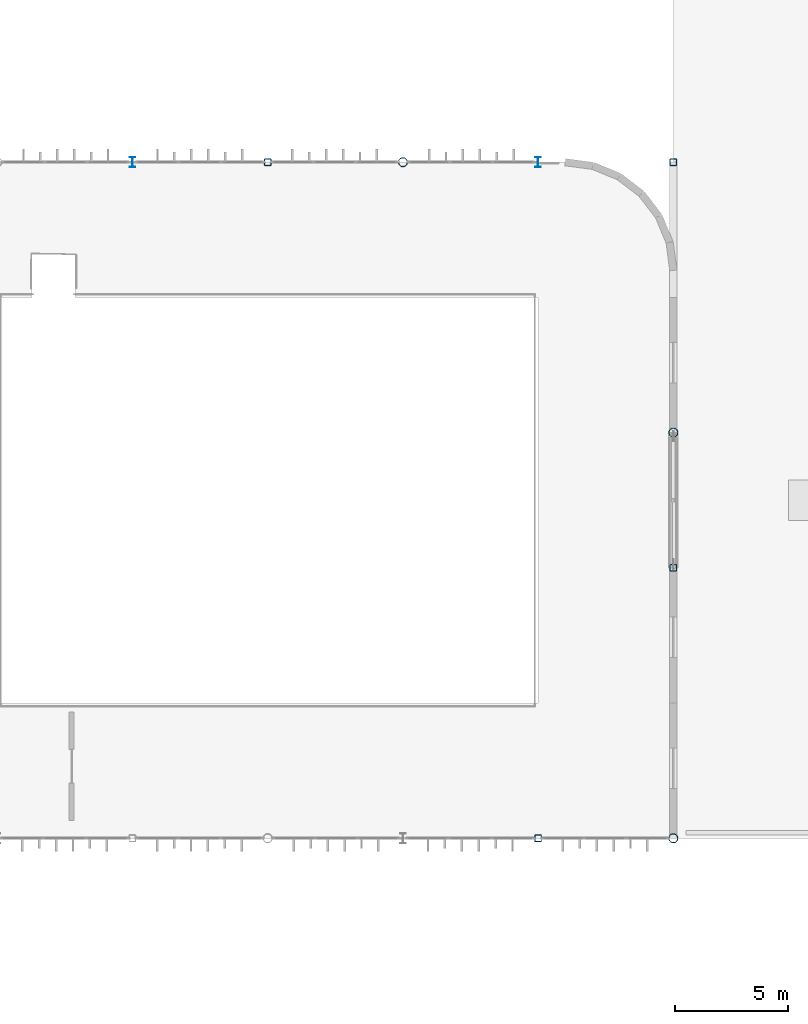
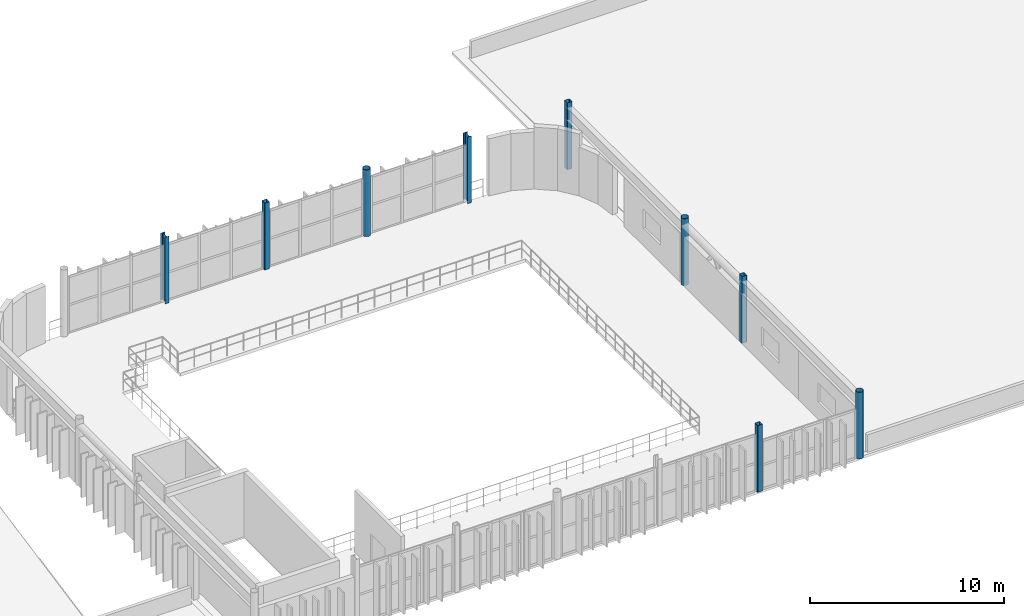
# One storey, part 8 of 83: 9 columns.
"""IFC4 building model written with IfcOpenShell, lengths in metres."""

import ifcopenshell
import ifcopenshell.guid

model = None  # the IFC model being written
_history = None  # IfcOwnerHistory: only IFC2X3 demands one
_inside = {}  # id of a spatial element -> (the spatial element, [elements in it])
_under = {}  # id of a project, library or spatial element -> (it, [spatial elements below it])
_declared = {}  # id of a project -> (the project, [libraries it declares])
_typed = {}  # id of a type object -> (the type object, [elements of that type])
_made_of = {}  # id of a material, layer set ... -> (it, [elements and type objects made of it])


def new_model(schema):
    """Start an empty IFC model of exactly this schema.

    Asked for "IFC4X3", IfcOpenShell would pick the latest addendum, in which some entities
    have other attributes; the version numbers below select the first issue.
    IFC2X3 requires an IfcOwnerHistory on every rooted entity: one is made here for all.
    """
    global model, _history
    if schema == "IFC4X3":
        model = ifcopenshell.file(schema_version=(4, 3, 0, 0))
    else:
        model = ifcopenshell.file(schema=schema)
    _inside.clear()
    _under.clear()
    _declared.clear()
    _typed.clear()
    _made_of.clear()
    _history = None
    if model.schema == "IFC2X3":
        org = make("IfcOrganization", Name="unknown")
        user = make(
            "IfcPersonAndOrganization",
            ThePerson=make("IfcPerson", FamilyName="unknown"),
            TheOrganization=org,
        )
        app = make(
            "IfcApplication",
            ApplicationDeveloper=org,
            Version="unknown",
            ApplicationFullName="unknown",
            ApplicationIdentifier="unknown",
        )
        _history = make(
            "IfcOwnerHistory",
            OwningUser=user,
            OwningApplication=app,
            ChangeAction="ADDED",
            CreationDate=0,
        )
    return model


def make(cls, **values):
    """One entity of the class cls with the attributes given. An attribute that is None is left unset."""
    return model.create_entity(
        cls, **{name: value for name, value in values.items() if value is not None}
    )


def rooted(cls, **values):
    """An entity with a GlobalId (a new one), such as an element, a storey or a relation."""
    return make(cls, GlobalId=ifcopenshell.guid.new(), OwnerHistory=_history, **values)


def si_unit(unit_type, name, prefix=None):
    """IfcSIUnit, for example si_unit("LENGTHUNIT", "METRE", prefix="MILLI")."""
    return make("IfcSIUnit", UnitType=unit_type, Prefix=prefix, Name=name)


def assignment(units):
    """IfcUnitAssignment: the units of a project."""
    return None if units is None else make("IfcUnitAssignment", Units=units)


def point(xyz):
    """IfcCartesianPoint."""
    return None if xyz is None else make("IfcCartesianPoint", Coordinates=xyz)


def direction(xyz):
    """IfcDirection."""
    return None if xyz is None else make("IfcDirection", DirectionRatios=xyz)


def frame(location, z_axis=None, x_axis=None):
    """IfcAxis2Placement3D, a coordinate frame: its origin and axes. An axis left out is left unset."""
    return make(
        "IfcAxis2Placement3D",
        Location=point(location),
        Axis=direction(z_axis),
        RefDirection=direction(x_axis),
    )


def frame_2d(location, x_axis=None):
    """IfcAxis2Placement2D, a coordinate frame in the plane: its origin and x axis."""
    return make(
        "IfcAxis2Placement2D", Location=point(location), RefDirection=direction(x_axis)
    )


def origin():
    """The frame at (0, 0, 0) with its axes left unset."""
    return frame((0.0, 0.0, 0.0))


def origin_2d():
    """The frame at (0, 0) in the plane with its x axis left unset."""
    return frame_2d((0.0, 0.0))


def place(relative_to, where):
    """IfcLocalPlacement: puts the frame where relative to a parent placement (None: the world)."""
    return make(
        "IfcLocalPlacement", PlacementRelTo=relative_to, RelativePlacement=where
    )


def context(
    kind, dimensions, precision=None, world=None, true_north=None, identifier=None
):
    """IfcGeometricRepresentationContext, for example the 3D "Model" context."""
    return make(
        "IfcGeometricRepresentationContext",
        ContextIdentifier=identifier,
        ContextType=kind,
        CoordinateSpaceDimension=dimensions,
        Precision=precision,
        WorldCoordinateSystem=world,
        TrueNorth=true_north,
    )


def subcontext(parent, identifier, kind, view, scale=None):
    """IfcGeometricRepresentationSubContext, for example "Body" below "Model"."""
    return make(
        "IfcGeometricRepresentationSubContext",
        ContextIdentifier=identifier,
        ContextType=kind,
        ParentContext=parent,
        TargetScale=scale,
        TargetView=view,
    )


def project(units=None, contexts=None):
    """IfcProject with its units and contexts."""
    return rooted(
        "IfcProject",
        Name="project",
        RepresentationContexts=contexts,
        UnitsInContext=assignment(units),
    )


def spatial(cls, under=None, at=None, **own):
    """A site, building, storey or space (cls), placed at a placement, below another one or the project."""
    s = rooted(cls, ObjectPlacement=at, **own)
    if under is not None:
        _under.setdefault(under.id(), (under, []))[1].append(s)
    return s


def profile(cls, at=None, kind="AREA", **sizes):
    """A parametric profile (cls). Its sizes go by their IFC names, for example OverallWidth=200.0."""
    return make(cls, ProfileType=kind, Position=at, **sizes)


def hollow_rectangle(**sizes):
    """IfcRectangleHollowProfileDef."""
    return profile("IfcRectangleHollowProfileDef", **sizes)


def hollow_circle(**sizes):
    """IfcCircleHollowProfileDef."""
    return profile("IfcCircleHollowProfileDef", **sizes)


def i_section(**sizes):
    """IfcIShapeProfileDef."""
    return profile("IfcIShapeProfileDef", **sizes)


def extrude(swept, where, along, depth):
    """IfcExtrudedAreaSolid: the profile swept, set in the frame where, extruded along a direction by depth."""
    return make(
        "IfcExtrudedAreaSolid",
        SweptArea=swept,
        Position=where,
        ExtrudedDirection=direction(along),
        Depth=depth,
    )


def shape(context_of_items, identifier, shape_type, items):
    """IfcShapeRepresentation: the items that make up one representation, for example the "Body"."""
    return make(
        "IfcShapeRepresentation",
        ContextOfItems=context_of_items,
        RepresentationIdentifier=identifier,
        RepresentationType=shape_type,
        Items=items,
    )


def material(Name=None, Category=None):
    """IfcMaterial."""
    return make("IfcMaterial", Name=Name, Category=Category)


def material_profile(
    of_material, cross_section, Name=None, Category=None, Priority=None
):
    """IfcMaterialProfile: a cross section and its material."""
    return make(
        "IfcMaterialProfile",
        Name=Name,
        Material=of_material,
        Profile=cross_section,
        Priority=Priority,
        Category=Category,
    )


def profile_set(profiles, Name=None, composite=None):
    """IfcMaterialProfileSet."""
    return make(
        "IfcMaterialProfileSet",
        Name=Name,
        MaterialProfiles=profiles,
        CompositeProfile=composite,
    )


def made_of(thing, what):
    """Note that an element or type object is made of a material, layer set ...; save() writes the relation."""
    if what is not None:
        _made_of.setdefault(what.id(), (what, []))[1].append(thing)
    return thing


def type_object(cls, material=None, **own):
    """A type object (cls), such as IfcWallType, which elements share."""
    return made_of(rooted(cls, **own), material)


def element(
    cls,
    number,
    at=None,
    inside=None,
    cuts=None,
    type_object=None,
    material=None,
    context=None,
    identifier="Body",
    shape_type=None,
    held_by="IfcProductDefinitionShape",
    body=None,
    shapes=None,
    **own,
):
    """One element of the class cls, such as IfcWall. Its Tag is "e" and its number.

    at: its placement. inside: the storey or other place that contains it. cuts: it is an
    opening in that element (IfcRelVoidsElement). A single representation is given by context,
    identifier, shape_type and body (its items); several are given by shapes. held_by: the class
    of the entity that holds the representations. save() writes the other relations.
    """
    e = rooted(cls, Tag="e%d" % number, ObjectPlacement=at, **own)
    if body is not None:
        shapes = [shape(context, identifier, shape_type, body)]
    if shapes is not None:
        e.Representation = make(held_by, Representations=shapes)
    if inside is not None:
        _inside.setdefault(inside.id(), (inside, []))[1].append(e)
    if cuts is not None:
        rooted(
            "IfcRelVoidsElement", RelatingBuildingElement=cuts, RelatedOpeningElement=e
        )
    if type_object is not None:
        _typed.setdefault(type_object.id(), (type_object, []))[1].append(e)
    return made_of(e, material)


def aggregate(whole, parts):
    """IfcRelAggregates: a whole, such as a stair, and the parts it consists of."""
    return rooted("IfcRelAggregates", RelatingObject=whole, RelatedObjects=parts)


def save(model, path):
    """Write the relations noted so far, then the file.

    IfcRelAggregates (storeys below a building ...), IfcRelContainedInSpatialStructure (elements
    in a storey), IfcRelDefinesByType, IfcRelAssociatesMaterial and IfcRelDeclares: one each for
    every whole, place, type object, material and project.
    """
    for whole, parts in _under.values():
        aggregate(whole, parts)
    for where, things in _inside.values():
        rooted(
            "IfcRelContainedInSpatialStructure",
            RelatedElements=things,
            RelatingStructure=where,
        )
    for kind, things in _typed.values():
        rooted("IfcRelDefinesByType", RelatedObjects=things, RelatingType=kind)
    for what, things in _made_of.values():
        rooted("IfcRelAssociatesMaterial", RelatedObjects=things, RelatingMaterial=what)
    for by, libraries in _declared.values():
        rooted("IfcRelDeclares", RelatingContext=by, RelatedDefinitions=libraries)
    model.write(path)


model = new_model("IFC4")

# Units and contexts
model_context = context("Model", 3, precision=1e-05, world=origin(), true_north=direction((0.0, 1.0)))
body_context = subcontext(model_context, "Body", "Model", "MODEL_VIEW")
ifc_project = project(units=[si_unit("LENGTHUNIT", "METRE"), si_unit("AREAUNIT", "SQUARE_METRE"), si_unit("VOLUMEUNIT", "CUBIC_METRE"), si_unit("PLANEANGLEUNIT", "RADIAN"), si_unit("MASSUNIT", "GRAM", prefix="KILO")], contexts=[model_context])

# Site, building, storey
site_placement = place(None, origin())
site = spatial("IfcSite", under=ifc_project, at=site_placement, CompositionType="ELEMENT")
building_placement = place(site_placement, origin())
building = spatial("IfcBuilding", under=site, at=building_placement, Name="Varnakota Square Police Headquarters", CompositionType="ELEMENT")
storey_placement = place(building_placement, frame((0.0, 0.0, 18.0)))
storey = spatial("IfcBuildingStorey", under=building, at=storey_placement, Name="L04", CompositionType="ELEMENT", Elevation=18.0)

# Columns
ifc_material = material(Name="Steel IS 2062 Grade 350", Category="steel")
ifc_material_profile_1 = material_profile(ifc_material, hollow_circle(Radius=0.203125, WallThickness=0.01611328125, at=origin_2d()), Name="CHS 406.4x16.0")
ifc_profile_set_1 = profile_set([ifc_material_profile_1], Name="Steel IS 2062 Grade 350")
column_type_1 = type_object("IfcColumnType", Name="COL-CHS406", PredefinedType="COLUMN", material=ifc_profile_set_1)
for number, where, z_axis, x_axis, name in (
    (1, (84.0, 99.0, 0.0), (0.0, 0.0, 1.0), (1.0, 0.0, 0.0), "Column X0840-Y0990 L04"),
    (2, (96.0, 69.0, 0.0), (0.0, 0.0, 1.0), (1.0, 0.0, 0.0), "Column X0960-Y0690 L04"),
    (3, (96.0, 87.0, 0.0), (0.0, 0.0, 1.0), (1.0, 0.0, 0.0), "Column X0960-Y0870 L04"),
):
    element("IfcColumn", number, at=place(storey_placement, frame(where, z_axis=z_axis, x_axis=x_axis)), inside=storey, type_object=column_type_1, Name=name, PredefinedType="COLUMN", context=body_context, shape_type="SweptSolid", body=[
        extrude(hollow_circle(Radius=0.203125, WallThickness=0.01611328125, at=origin_2d()), origin(), (0.0, 0.0, 1.0), 4.199951171875),
    ])
ifc_material_profile_2 = material_profile(ifc_material, i_section(OverallWidth=0.25, OverallDepth=0.449951171875, WebThickness=0.01123046875, FlangeThickness=0.013671875, FilletRadius=0.014892578125, at=origin_2d()), Name="ISHB 450")
ifc_profile_set_2 = profile_set([ifc_material_profile_2], Name="Steel IS 2062 Grade 350")
column_type_2 = type_object("IfcColumnType", Name="COL-ISHB450", PredefinedType="COLUMN", material=ifc_profile_set_2)
for number, where, z_axis, x_axis, name in (
    (4, (72.0, 99.0, 0.0), (0.0, 0.0, 1.0), (1.0, 0.0, 0.0), "Column X0720-Y0990 L04"),
    (5, (90.0, 99.0, 0.0), (0.0, 0.0, 1.0), (1.0, 0.0, 0.0), "Column X0900-Y0990 L04"),
):
    element("IfcColumn", number, at=place(storey_placement, frame(where, z_axis=z_axis, x_axis=x_axis)), inside=storey, type_object=column_type_2, Name=name, PredefinedType="COLUMN", context=body_context, shape_type="SweptSolid", body=[
        extrude(i_section(OverallWidth=0.25, OverallDepth=0.449951171875, WebThickness=0.01123046875, FlangeThickness=0.013671875, FilletRadius=0.014892578125, at=origin_2d()), origin(), (0.0, 0.0, 1.0), 4.199951171875),
    ])
ifc_material_profile_3 = material_profile(ifc_material, hollow_rectangle(XDim=0.300048828125, YDim=0.300048828125, WallThickness=0.01611328125, InnerFilletRadius=0.01611328125, OuterFilletRadius=0.031982421875, at=origin_2d()), Name="SHS 300x300x16")
ifc_profile_set_3 = profile_set([ifc_material_profile_3], Name="Steel IS 2062 Grade 350")
column_type_3 = type_object("IfcColumnType", Name="COL-SHS300", PredefinedType="COLUMN", material=ifc_profile_set_3)
for number, where, z_axis, x_axis, name in (
    (6, (78.0, 99.0, 0.0), (0.0, 0.0, 1.0), (1.0, 0.0, 0.0), "Column X0780-Y0990 L04"),
    (7, (90.0, 69.0, 0.0), (0.0, 0.0, 1.0), (1.0, 0.0, 0.0), "Column X0900-Y0690 L04"),
    (8, (96.0, 81.0, 0.0), (0.0, 0.0, 1.0), (1.0, 0.0, 0.0), "Column X0960-Y0810 L04"),
    (9, (96.0, 99.0, 0.0), (0.0, 0.0, 1.0), (1.0, 0.0, 0.0), "Column X0960-Y0990 L04"),
):
    element("IfcColumn", number, at=place(storey_placement, frame(where, z_axis=z_axis, x_axis=x_axis)), inside=storey, type_object=column_type_3, Name=name, PredefinedType="COLUMN", context=body_context, shape_type="SweptSolid", body=[
        extrude(hollow_rectangle(XDim=0.300048828125, YDim=0.300048828125, WallThickness=0.01611328125, InnerFilletRadius=0.01611328125, OuterFilletRadius=0.031982421875, at=origin_2d()), origin(), (0.0, 0.0, 1.0), 4.199951171875),
    ])

save(model, "model.ifc")
